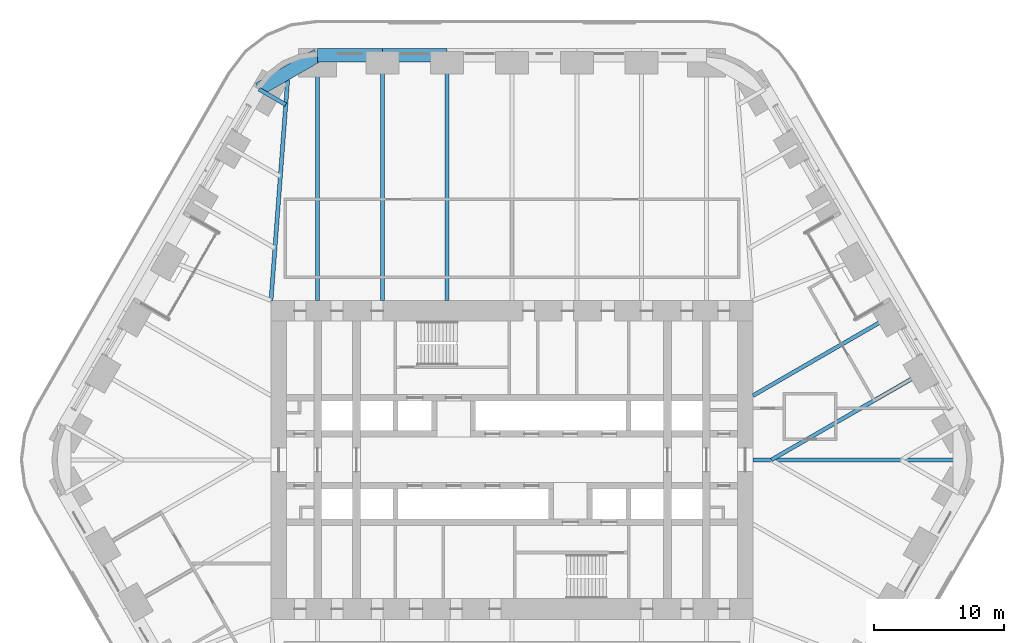
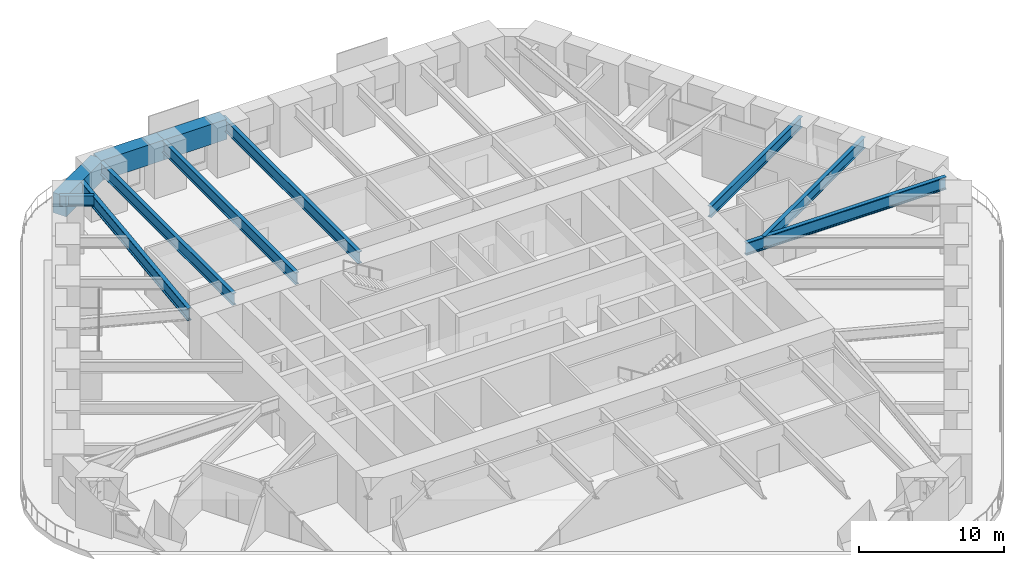
# One storey, part 10 of 24: 11 beams.
"""IFC4 building model written with IfcOpenShell, lengths in metres."""

from ifc_helpers import new_model, si_unit, direction, frame, origin, origin_2d, place, context, subcontext, project, spatial, rectangle, i_section, extrude, material, material_profile, profile_set, type_object, element, save


model = new_model("IFC4")

# Units and contexts
model_context = context("Model", 3, precision=1e-05, world=origin(), true_north=direction((0.0, 1.0)))
body_context = subcontext(model_context, "Body", "Model", "MODEL_VIEW")
ifc_project = project(units=[si_unit("LENGTHUNIT", "METRE"), si_unit("AREAUNIT", "SQUARE_METRE"), si_unit("VOLUMEUNIT", "CUBIC_METRE"), si_unit("PLANEANGLEUNIT", "RADIAN"), si_unit("MASSUNIT", "GRAM", prefix="KILO")], contexts=[model_context])

# Site, building, storey
site_placement = place(None, origin())
site = spatial("IfcSite", under=ifc_project, at=site_placement, CompositionType="ELEMENT")
building_placement = place(site_placement, origin())
building = spatial("IfcBuilding", under=site, at=building_placement, Name="Tarfa Lantern Tower", CompositionType="ELEMENT")
storey_placement = place(building_placement, frame((0.0, 0.0, 119.5)))
storey = spatial("IfcBuildingStorey", under=building, at=storey_placement, Name="L26", CompositionType="ELEMENT", Elevation=119.5)

# Beams
ifc_material_1 = material(Name="Concrete C80/95", Category="concrete")
ifc_material_profile_1 = material_profile(ifc_material_1, rectangle(XDim=1.050048828125, YDim=1.699951171875, at=origin_2d()), Name="RC 1050x1700")
ifc_profile_set_1 = profile_set([ifc_material_profile_1], Name="Concrete C80/95")
beam_type_1 = type_object("IfcBeamType", Name="RB2 RC 1050x1700", PredefinedType="BEAM", material=ifc_profile_set_1)
for number, where, z_axis, x_axis, name in (
    (1, (-5.003662109375, 31.219970703125, 3.14990234375), (-1.0, 0.0, 0.0), (0.0, -1.0, 0.0), "Edge beam N4"),
    (2, (-10.00732421875, 31.219970703125, 3.14990234375), (-1.0, 0.0, 0.0), (0.0, -1.0, 0.0), "Edge beam N5"),
):
    element("IfcBeam", number, at=place(storey_placement, frame(where, z_axis=z_axis, x_axis=x_axis)), inside=storey, type_object=beam_type_1, Name=name, PredefinedType="BEAM", context=body_context, shape_type="SweptSolid", body=[
        extrude(rectangle(XDim=1.050048828125, YDim=1.699951171875, at=origin_2d()), origin(), (0.0, 0.0, 1.0), 5.003662109375),
    ])
beam_1_placement = place(storey_placement, frame((-15.010986328125, 31.219970703125, 3.14990234375), z_axis=(-0.86604150238, -0.499972115377, 0.0), x_axis=(0.499972115377, -0.86604150238, 0.0)))
element("IfcBeam", 3, at=beam_1_placement, inside=storey, type_object=beam_type_1, Name="Edge beam N6", PredefinedType="BEAM", context=body_context, shape_type="SweptSolid", body=[
    extrude(rectangle(XDim=1.050048828125, YDim=1.699951171875, at=origin_2d()), origin(), (0.0, 0.0, 1.0), 5.219970703125),
])
ifc_material_2 = material(Name="Steel S460M", Category="steel")
ifc_material_profile_2 = material_profile(ifc_material_2, i_section(OverallWidth=0.302001953125, OverallDepth=1.008056640625, WebThickness=0.02099609375, FlangeThickness=0.0400390625, FilletRadius=0.030029296875, at=origin_2d()), Name="UB1016x305x349")
ifc_profile_set_2 = profile_set([ifc_material_profile_2], Name="Steel S460M")
beam_type_2 = type_object("IfcBeamType", Name="UB1016x305x349", PredefinedType="BEAM", material=ifc_profile_set_2)
for number, where, z_axis, x_axis, name in (
    (4, (-5.003662109375, 31.219970703125, 3.495849609375), (0.0, -1.0, 0.0), (1.0, 0.0, 0.0), "Floor beam N4"),
    (5, (-10.00732421875, 31.219970703125, 3.495849609375), (0.0, -1.0, 0.0), (1.0, 0.0, 0.0), "Floor beam N5"),
    (6, (-15.010986328125, 31.219970703125, 3.495849609375), (0.0, -1.0, 0.0), (1.0, 0.0, 0.0), "Floor beam N6"),
):
    element("IfcBeam", number, at=place(storey_placement, frame(where, z_axis=z_axis, x_axis=x_axis)), inside=storey, type_object=beam_type_2, Name=name, PredefinedType="BEAM", context=body_context, shape_type="SweptSolid", body=[
        extrude(i_section(OverallWidth=0.302001953125, OverallDepth=1.008056640625, WebThickness=0.02099609375, FlangeThickness=0.0400390625, FilletRadius=0.030029296875, at=origin_2d()), origin(), (0.0, 0.0, 1.0), 18.919921875),
    ])
ifc_material_profile_3 = material_profile(ifc_material_2, i_section(OverallWidth=0.314208984375, OverallDepth=1.055908203125, WebThickness=0.035888671875, FlangeThickness=0.06396484375, FilletRadius=0.030029296875, at=origin_2d()), Name="UB1016x305x584")
ifc_profile_set_3 = profile_set([ifc_material_profile_3], Name="Steel S460M")
beam_type_3 = type_object("IfcBeamType", Name="UB1016x305x584", PredefinedType="BEAM", material=ifc_profile_set_3)
beam_2_placement = place(storey_placement, frame((18.60009765625, 0.0, 3.471923828125), z_axis=(1.0, 0.0, 0.0), x_axis=(0.0, 1.0, 0.0)))
element("IfcBeam", 7, at=beam_2_placement, inside=storey, type_object=beam_type_3, Name="Hip girder E", PredefinedType="BEAM", context=body_context, shape_type="SweptSolid", body=[
    extrude(i_section(OverallWidth=0.314208984375, OverallDepth=1.055908203125, WebThickness=0.035888671875, FlangeThickness=0.06396484375, FilletRadius=0.030029296875, at=origin_2d()), origin(), (0.0, 0.0, 1.0), 15.94287109375),
])
beam_3_placement = place(storey_placement, frame((-18.60009765625, 12.300048828125, 3.471923828125), z_axis=(0.075211516041, 0.99716760269, 0.0), x_axis=(-0.99716760269, 0.075211516041, 0.0)))
element("IfcBeam", 8, at=beam_3_placement, inside=storey, type_object=beam_type_3, Name="Hip girder NW", PredefinedType="BEAM", context=body_context, shape_type="SweptSolid", body=[
    extrude(i_section(OverallWidth=0.314208984375, OverallDepth=1.055908203125, WebThickness=0.035888671875, FlangeThickness=0.06396484375, FilletRadius=0.030029296875, at=origin_2d()), origin(), (0.0, 0.0, 1.0), 17.6650390625),
])
ifc_material_profile_4 = material_profile(ifc_material_2, i_section(OverallWidth=0.305419921875, OverallDepth=0.91845703125, WebThickness=0.017333984375, FlangeThickness=0.02783203125, FilletRadius=0.01904296875, at=origin_2d()), Name="UB914x305x253")
ifc_profile_set_4 = profile_set([ifc_material_profile_4], Name="Steel S460M")
beam_type_4 = type_object("IfcBeamType", Name="UB914x305x253", PredefinedType="BEAM", material=ifc_profile_set_4)
beam_4_placement = place(storey_placement, frame((32.041015625, 6.943359375, 3.540771484375), z_axis=(-0.866023096411, -0.500003996466, 0.0), x_axis=(0.500003996466, -0.866023096411, 0.0)))
element("IfcBeam", 9, at=beam_4_placement, inside=storey, type_object=beam_type_4, Name="Floor beam NE1", PredefinedType="BEAM", context=body_context, shape_type="SweptSolid", body=[
    extrude(i_section(OverallWidth=0.305419921875, OverallDepth=0.91845703125, WebThickness=0.017333984375, FlangeThickness=0.02783203125, FilletRadius=0.01904296875, at=origin_2d()), origin(), (0.0, 0.0, 1.0), 13.88671875),
])
beam_5_placement = place(storey_placement, frame((29.5390625, 11.276611328125, 3.540771484375), z_axis=(-0.866023362995, -0.500003534735, 0.0), x_axis=(0.500003534735, -0.866023362995, 0.0)))
element("IfcBeam", 10, at=beam_5_placement, inside=storey, type_object=beam_type_4, Name="Floor beam NE2", PredefinedType="BEAM", context=body_context, shape_type="SweptSolid", body=[
    extrude(i_section(OverallWidth=0.305419921875, OverallDepth=0.91845703125, WebThickness=0.017333984375, FlangeThickness=0.02783203125, FilletRadius=0.01904296875, at=origin_2d()), origin(), (0.0, 0.0, 1.0), 12.63134765625),
])
beam_6_placement = place(storey_placement, frame((-19.53173828125, 28.610107421875, 3.540771484375), z_axis=(0.865998640954, -0.500046351717, 0.0), x_axis=(0.500046351717, 0.865998640954, 0.0)))
element("IfcBeam", 11, at=beam_6_placement, inside=storey, type_object=beam_type_4, Name="Floor beam NW0", PredefinedType="BEAM", context=body_context, shape_type="SweptSolid", body=[
    extrude(i_section(OverallWidth=0.305419921875, OverallDepth=0.91845703125, WebThickness=0.017333984375, FlangeThickness=0.02783203125, FilletRadius=0.01904296875, at=origin_2d()), origin(), (0.0, 0.0, 1.0), 2.392333984375),
])

save(model, "model.ifc")
